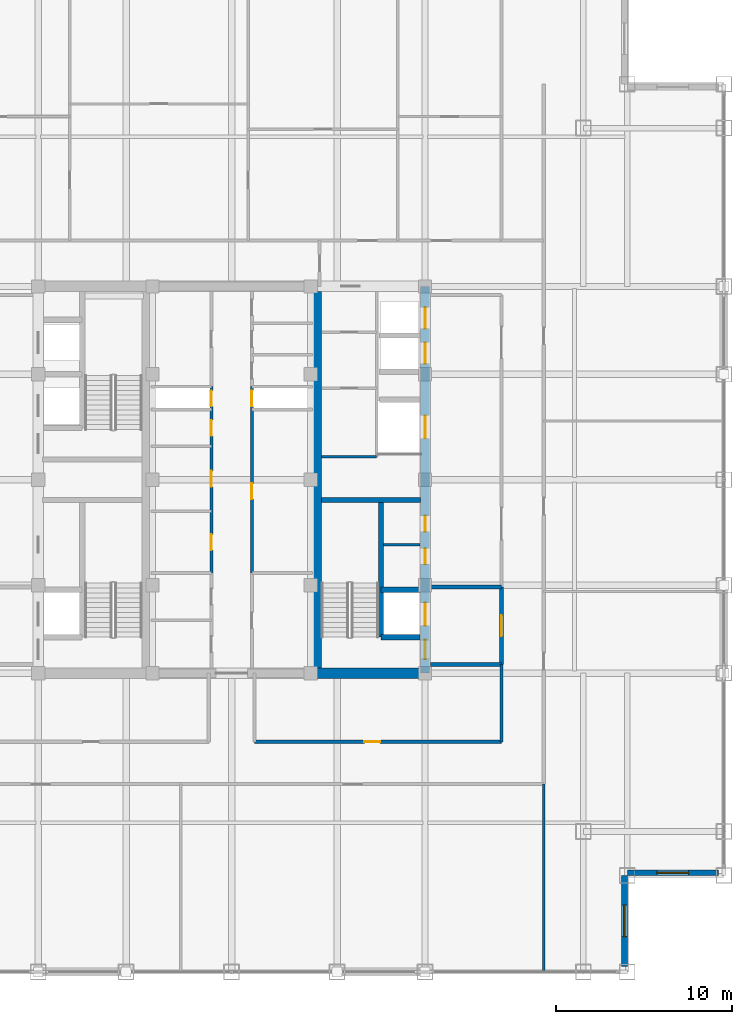
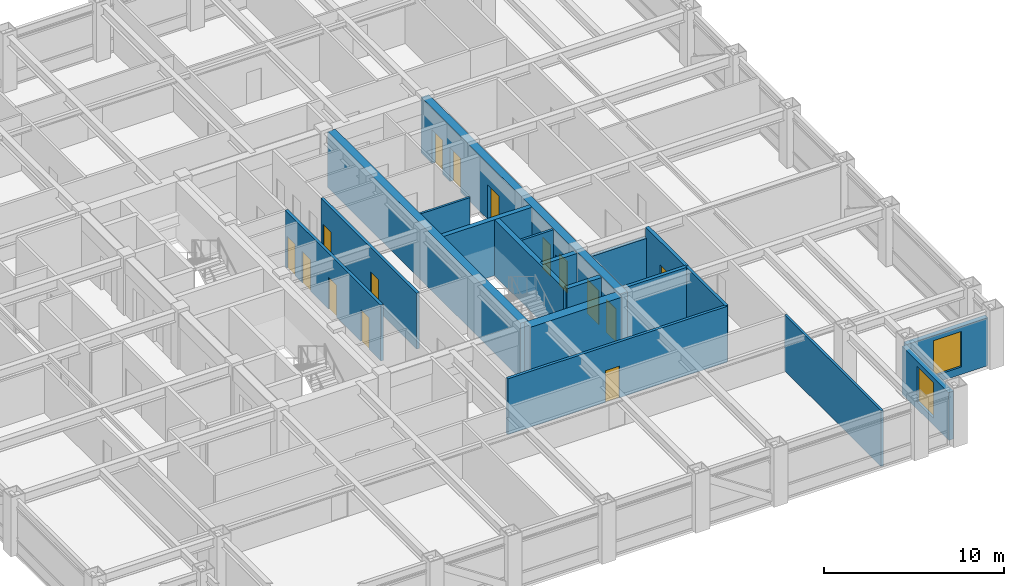
# One storey, part 19 of 22: 19 walls, 15 doors, 2 windows, 17 openings.
"""IFC4 building model written with IfcOpenShell, lengths in metres."""

from ifc_helpers import new_model, si_unit, direction, frame, frame_2d, origin, place, context, subcontext, project, spatial, rectangle, extrude, source, transform, mapped, material, layer, layer_set, type_object, element, fill, save


model = new_model("IFC4")

# Units and contexts
model_context = context("Model", 3, precision=1e-05, world=origin(), true_north=direction((0.0, 1.0)))
body_context = subcontext(model_context, "Body", "Model", "MODEL_VIEW")
ifc_project = project(units=[si_unit("LENGTHUNIT", "METRE"), si_unit("AREAUNIT", "SQUARE_METRE"), si_unit("VOLUMEUNIT", "CUBIC_METRE"), si_unit("PLANEANGLEUNIT", "RADIAN"), si_unit("MASSUNIT", "GRAM", prefix="KILO")], contexts=[model_context])

# Site, building, storey
site_placement = place(None, origin())
site = spatial("IfcSite", under=ifc_project, at=site_placement, CompositionType="ELEMENT")
building_placement = place(site_placement, origin())
building = spatial("IfcBuilding", under=site, at=building_placement, Name="Khorayat Bourse Tower", CompositionType="ELEMENT")
storey_placement = place(building_placement, frame((0.0, 0.0, 305.5)))
storey = spatial("IfcBuildingStorey", under=building, at=storey_placement, Name="L72", CompositionType="ELEMENT", Elevation=305.5)

# Wall, openings, doors
ifc_material_1 = material(Name="Concrete C52/65", Category="concrete")
ifc_layer_1 = layer(ifc_material_1, 0.5)
ifc_layer_set_1 = layer_set([ifc_layer_1], Name="Concrete C52/65")
wall_type_1 = type_object("IfcWallType", Name="WAL-CORE-500", PredefinedType="SHEAR", material=ifc_layer_set_1)
shared_shape_1 = source(origin(), body_context, "Body", "SweptSolid", [
    extrude(rectangle(XDim=22.0, YDim=0.5, at=frame_2d((11.0, 0.0))), origin(), (0.0, 0.0, 1.0), 3.780029296875),
])
wall_1_placement = place(storey_placement, frame((11.0, -11.0, 0.0), z_axis=(0.0, 0.0, 1.0), x_axis=(0.0, 1.0, 0.0)))
wall_1 = element("IfcWall", 1, at=wall_1_placement, inside=storey, type_object=wall_type_1, Name="L72 Core Shear Wall CORE-E", PredefinedType="SHEAR", context=body_context, shape_type="MappedRepresentation", body=[
    mapped(shared_shape_1, transform((0.0, 0.0, 0.0), scale=1.0)),
])
shared_shape_2 = source(origin(), body_context, "Body", "SweptSolid", [
    extrude(rectangle(XDim=1.10009765625, YDim=2.199951171875, at=frame_2d((0.550048828125, 1.10009765625))), frame((0.0, 0.260009765625, 0.0), z_axis=(0.0, -1.0, 0.0), x_axis=(1.0, 0.0, 0.0)), (0.0, 0.0, 1.0), 0.52001953125),
])
opening_1_placement = place(wall_1_placement, frame((0.800048828125, 0.0, 0.0)))
opening_1 = element("IfcOpeningElement", 2, at=opening_1_placement, cuts=wall_1, Name="Opening DI-01", PredefinedType="OPENING", context=body_context, shape_type="MappedRepresentation", body=[
    mapped(shared_shape_2, transform((0.0, 0.0, 0.0), scale=1.0)),
])
shared_shape_3 = source(origin(), body_context, "Body", "SweptSolid", [
    extrude(rectangle(XDim=0.89990234375, YDim=2.14990234375, at=frame_2d((0.449951171875, 1.074951171875))), frame((0.0, 0.260009765625, 0.0), z_axis=(0.0, -1.0, 0.0), x_axis=(1.0, 0.0, 0.0)), (0.0, 0.0, 1.0), 0.52001953125),
])
opening_2_placement = place(wall_1_placement, frame((6.199951171875, 0.0, 0.0)))
opening_2 = element("IfcOpeningElement", 3, at=opening_2_placement, cuts=wall_1, Name="Opening DI-06", PredefinedType="OPENING", context=body_context, shape_type="MappedRepresentation", body=[
    mapped(shared_shape_3, transform((0.0, 0.0, 0.0), scale=1.0)),
])
opening_3_placement = place(wall_1_placement, frame((8.050048828125, 0.0, 0.0)))
opening_3 = element("IfcOpeningElement", 4, at=opening_3_placement, cuts=wall_1, Name="Opening DI-06", PredefinedType="OPENING", context=body_context, shape_type="MappedRepresentation", body=[
    mapped(shared_shape_3, transform((0.0, 0.0, 0.0), scale=1.0)),
])
shared_shape_4 = source(origin(), body_context, "Body", "SweptSolid", [
    extrude(rectangle(XDim=1.199951171875, YDim=2.300048828125, at=frame_2d((0.60009765625, 1.14990234375))), frame((0.0, 0.260009765625, 0.0), z_axis=(0.0, -1.0, 0.0), x_axis=(1.0, 0.0, 0.0)), (0.0, 0.0, 1.0), 0.52001953125),
])
opening_4_placement = place(wall_1_placement, frame((17.60009765625, 0.0, 0.0)))
opening_4 = element("IfcOpeningElement", 5, at=opening_4_placement, cuts=wall_1, Name="Opening LD-01", PredefinedType="OPENING", context=body_context, shape_type="MappedRepresentation", body=[
    mapped(shared_shape_4, transform((0.0, 0.0, 0.0), scale=1.0)),
])
opening_5_placement = place(wall_1_placement, frame((19.60009765625, 0.0, 0.0)))
opening_5 = element("IfcOpeningElement", 6, at=opening_5_placement, cuts=wall_1, Name="Opening LD-01", PredefinedType="OPENING", context=body_context, shape_type="MappedRepresentation", body=[
    mapped(shared_shape_4, transform((0.0, 0.0, 0.0), scale=1.0)),
])
shared_shape_5 = source(origin(), body_context, "Body", "SweptSolid", [
    extrude(rectangle(XDim=1.300048828125, YDim=2.300048828125, at=frame_2d((0.64990234375, 1.14990234375))), frame((0.0, 0.260009765625, 0.0), z_axis=(0.0, -1.0, 0.0), x_axis=(1.0, 0.0, 0.0)), (0.0, 0.0, 1.0), 0.52001953125),
])
opening_6_placement = place(wall_1_placement, frame((2.699951171875, 0.0, 0.0)))
opening_6 = element("IfcOpeningElement", 7, at=opening_6_placement, cuts=wall_1, Name="Opening LD-02", PredefinedType="OPENING", context=body_context, shape_type="MappedRepresentation", body=[
    mapped(shared_shape_5, transform((0.0, 0.0, 0.0), scale=1.0)),
])
opening_7_placement = place(wall_1_placement, frame((13.35009765625, 0.0, 0.0)))
opening_7 = element("IfcOpeningElement", 8, at=opening_7_placement, cuts=wall_1, Name="Opening LD-02", PredefinedType="OPENING", context=body_context, shape_type="MappedRepresentation", body=[
    mapped(shared_shape_5, transform((0.0, 0.0, 0.0), scale=1.0)),
])
ifc_material_2 = material(Name="Fire-rated steel acoustic leaf", Category="steel")
door_type_1 = type_object("IfcDoorType", Name="DR-INT-STAIR-1100", OperationType="NOTDEFINED", PredefinedType="DOOR", material=ifc_material_2)
shared_shape_6 = source(origin(), body_context, "Body", "SweptSolid", [
    extrude(rectangle(XDim=1.10009765625, YDim=2.199951171875, at=frame_2d((0.550048828125, 1.10009765625))), frame((0.0, 0.02490234375, 0.0), z_axis=(0.0, -1.0, 0.0), x_axis=(1.0, 0.0, 0.0)), (0.0, 0.0, 1.0), 0.050048828125),
])
door_1_placement = place(opening_1_placement, origin())
door_1 = element("IfcDoor", 9, at=door_1_placement, inside=storey, type_object=door_type_1, Name="L72 Exit Stair 3 Door", OperationType="SINGLE_SWING_LEFT", OverallHeight=2.199951171875, OverallWidth=1.10009765625, PredefinedType="DOOR", context=body_context, shape_type="MappedRepresentation", body=[
    mapped(shared_shape_6, transform((0.0, 0.0, 0.0), scale=1.0)),
])
fill(opening_1, door_1)
ifc_material_3 = material(Name="Moisture-resistant laminate washroom door")
door_type_2 = type_object("IfcDoorType", Name="DR-INT-WC-900", OperationType="NOTDEFINED", PredefinedType="DOOR", material=ifc_material_3)
shared_shape_7 = source(origin(), body_context, "Body", "SweptSolid", [
    extrude(rectangle(XDim=0.89990234375, YDim=2.14990234375, at=frame_2d((0.449951171875, 1.074951171875))), frame((0.0, 0.02490234375, 0.0), z_axis=(0.0, -1.0, 0.0), x_axis=(1.0, 0.0, 0.0)), (0.0, 0.0, 1.0), 0.050048828125),
])
door_2_placement = place(opening_2_placement, origin())
door_2 = element("IfcDoor", 10, at=door_2_placement, inside=storey, type_object=door_type_2, Name="L72 Comms Closet Door", OperationType="SINGLE_SWING_LEFT", OverallHeight=2.14990234375, OverallWidth=0.89990234375, PredefinedType="DOOR", context=body_context, shape_type="MappedRepresentation", body=[
    mapped(shared_shape_7, transform((0.0, 0.0, 0.0), scale=1.0)),
])
fill(opening_2, door_2)
door_3_placement = place(opening_3_placement, origin())
door_3 = element("IfcDoor", 11, at=door_3_placement, inside=storey, type_object=door_type_2, Name="L72 Cleaner Store Door", OperationType="SINGLE_SWING_RIGHT", OverallHeight=2.14990234375, OverallWidth=0.89990234375, PredefinedType="DOOR", context=body_context, shape_type="MappedRepresentation", body=[
    mapped(shared_shape_7, transform((0.0, 0.0, 0.0), scale=1.0)),
])
fill(opening_3, door_3)
ifc_material_4 = material(Name="Brushed bronze stainless-steel sliding door", Category="steel")
door_type_3 = type_object("IfcDoorType", Name="DR-LIFT-PASS-1200", OperationType="NOTDEFINED", PredefinedType="DOOR", material=ifc_material_4)
shared_shape_8 = source(origin(), body_context, "Body", "SweptSolid", [
    extrude(rectangle(XDim=1.199951171875, YDim=2.300048828125, at=frame_2d((0.60009765625, 1.14990234375))), frame((0.0, 0.02490234375, 0.0), z_axis=(0.0, -1.0, 0.0), x_axis=(1.0, 0.0, 0.0)), (0.0, 0.0, 1.0), 0.050048828125),
])
door_4_placement = place(opening_4_placement, origin())
door_4 = element("IfcDoor", 12, at=door_4_placement, inside=storey, type_object=door_type_3, Name="L72 Lift PL-H3 Sliding Landing Door", OperationType="SLIDING_TO_LEFT", OverallHeight=2.300048828125, OverallWidth=1.199951171875, PredefinedType="DOOR", context=body_context, shape_type="MappedRepresentation", body=[
    mapped(shared_shape_8, transform((0.0, 0.0, 0.0), scale=1.0)),
])
fill(opening_4, door_4)
door_5_placement = place(opening_5_placement, origin())
door_5 = element("IfcDoor", 13, at=door_5_placement, inside=storey, type_object=door_type_3, Name="L72 Lift PL-H4 Sliding Landing Door", OperationType="SLIDING_TO_LEFT", OverallHeight=2.300048828125, OverallWidth=1.199951171875, PredefinedType="DOOR", context=body_context, shape_type="MappedRepresentation", body=[
    mapped(shared_shape_8, transform((0.0, 0.0, 0.0), scale=1.0)),
])
fill(opening_5, door_5)
ifc_material_5 = material(Name="Fire-rated stainless-steel sliding landing door", Category="steel")
door_type_4 = type_object("IfcDoorType", Name="DR-LIFT-FF-1300", OperationType="NOTDEFINED", PredefinedType="DOOR", material=ifc_material_5)
shared_shape_9 = source(origin(), body_context, "Body", "SweptSolid", [
    extrude(rectangle(XDim=1.300048828125, YDim=2.300048828125, at=frame_2d((0.64990234375, 1.14990234375))), frame((0.0, 0.02490234375, 0.0), z_axis=(0.0, -1.0, 0.0), x_axis=(1.0, 0.0, 0.0)), (0.0, 0.0, 1.0), 0.050048828125),
])
door_6_placement = place(opening_6_placement, origin())
door_6 = element("IfcDoor", 14, at=door_6_placement, inside=storey, type_object=door_type_4, Name="L72 Lift FFL-02 Sliding Landing Door", OperationType="SLIDING_TO_LEFT", OverallHeight=2.300048828125, OverallWidth=1.300048828125, PredefinedType="DOOR", context=body_context, shape_type="MappedRepresentation", body=[
    mapped(shared_shape_9, transform((0.0, 0.0, 0.0), scale=1.0)),
])
fill(opening_6, door_6)
door_7_placement = place(opening_7_placement, origin())
door_7 = element("IfcDoor", 15, at=door_7_placement, inside=storey, type_object=door_type_4, Name="L72 Lift SVL-01 Sliding Landing Door", OperationType="SLIDING_TO_LEFT", OverallHeight=2.300048828125, OverallWidth=1.300048828125, PredefinedType="DOOR", context=body_context, shape_type="MappedRepresentation", body=[
    mapped(shared_shape_9, transform((0.0, 0.0, 0.0), scale=1.0)),
])
fill(opening_7, door_7)

# Walls
shared_shape_10 = source(origin(), body_context, "Body", "SweptSolid", [
    extrude(rectangle(XDim=21.39990234375, YDim=0.5, at=frame_2d((10.699951171875, 0.0))), origin(), (0.0, 0.0, 1.0), 3.780029296875),
])
wall_2_placement = place(storey_placement, frame((4.85009765625, -10.699951171875, 0.0), z_axis=(0.0, 0.0, 1.0), x_axis=(0.0, 1.0, 0.0)))
element("IfcWall", 16, at=wall_2_placement, inside=storey, type_object=wall_type_1, Name="L72 Core Shear Wall PIER-E", PredefinedType="SHEAR", context=body_context, shape_type="MappedRepresentation", body=[
    mapped(shared_shape_10, transform((0.0, 0.0, 0.0), scale=1.0)),
])
ifc_material_6 = material(Name="Concrete C60/75", Category="concrete")
ifc_layer_2 = layer(ifc_material_6, 0.60009765625)
ifc_layer_set_2 = layer_set([ifc_layer_2], Name="Concrete C60/75")
wall_type_2 = type_object("IfcWallType", Name="WAL-CORE-600", PredefinedType="SHEAR", material=ifc_layer_set_2)
shared_shape_11 = source(origin(), body_context, "Body", "SweptSolid", [
    extrude(rectangle(XDim=5.89990234375, YDim=0.60009765625, at=frame_2d((2.949951171875, 0.0))), origin(), (0.0, 0.0, 1.0), 3.780029296875),
])
wall_3_placement = place(storey_placement, frame((4.85009765625, -11.0, 0.0), z_axis=(0.0, 0.0, 1.0), x_axis=(1.0, 0.0, 0.0)))
element("IfcWall", 17, at=wall_3_placement, inside=storey, type_object=wall_type_2, Name="L72 Core Shear Wall PIER-ES", PredefinedType="SHEAR", context=body_context, shape_type="MappedRepresentation", body=[
    mapped(shared_shape_11, transform((0.0, 0.0, 0.0), scale=1.0)),
])
ifc_material_7 = material(Name="Concrete C50/60", Category="concrete")
ifc_layer_3 = layer(ifc_material_7, 0.300048828125)
ifc_layer_set_3 = layer_set([ifc_layer_3], Name="Concrete C50/60")
wall_type_3 = type_object("IfcWallType", Name="WAL-SHAFT-300", PredefinedType="SHEAR", material=ifc_layer_set_3)
shared_shape_12 = source(origin(), body_context, "Body", "SweptSolid", [
    extrude(rectangle(XDim=5.64990234375, YDim=0.300048828125, at=frame_2d((2.824951171875, 0.0))), origin(), (0.0, 0.0, 1.0), 3.780029296875),
])
wall_4_placement = place(storey_placement, frame((5.10009765625, -1.14990234375, 0.0), z_axis=(0.0, 0.0, 1.0), x_axis=(1.0, 0.0, 0.0)))
element("IfcWall", 18, at=wall_4_placement, inside=storey, type_object=wall_type_3, Name="L72 Core Shear Wall ST3-DIV", PredefinedType="SHEAR", context=body_context, shape_type="MappedRepresentation", body=[
    mapped(shared_shape_12, transform((0.0, 0.0, 0.0), scale=1.0)),
])

# Wall, opening, window
ifc_material_8 = material(Name="Precast concrete C45/55", Category="concrete")
ifc_layer_4 = layer(ifc_material_8, 0.320068359375)
ifc_layer_set_4 = layer_set([ifc_layer_4], Name="Precast concrete C45/55")
wall_type_4 = type_object("IfcWallType", Name="WAL-EXT-STONE-320", PredefinedType="STANDARD", material=ifc_layer_set_4)
shared_shape_13 = source(origin(), body_context, "Body", "SweptSolid", [
    extrude(rectangle(XDim=5.179931640625, YDim=0.320068359375, at=frame_2d((2.58984375, 0.0))), origin(), (0.0, 0.0, 1.0), 3.23095703125),
])
wall_5_placement = place(storey_placement, frame((22.340087890625, -27.679931640625, 0.0), z_axis=(0.0, 0.0, 1.0), x_axis=(0.0, 1.0, 0.0)))
wall_5 = element("IfcWall", 19, at=wall_5_placement, inside=storey, type_object=wall_type_4, Name="L72 Re-Entrant Notch Limestone Wall SE-V", PredefinedType="STANDARD", context=body_context, shape_type="MappedRepresentation", body=[
    mapped(shared_shape_13, transform((0.0, 0.0, 0.0), scale=1.0)),
])
shared_shape_14 = source(origin(), body_context, "Body", "SweptSolid", [
    extrude(rectangle(XDim=1.800048828125, YDim=2.39990234375, at=frame_2d((0.89990234375, 1.199951171875))), frame((0.0, 0.169921875, 0.0), z_axis=(0.0, -1.0, 0.0), x_axis=(1.0, 0.0, 0.0)), (0.0, 0.0, 1.0), 0.340087890625),
])
opening_8_placement = place(wall_5_placement, frame((1.68994140625, 0.0, 0.5)))
opening_8 = element("IfcOpeningElement", 20, at=opening_8_placement, cuts=wall_5, Name="Opening WN-04", PredefinedType="OPENING", context=body_context, shape_type="MappedRepresentation", body=[
    mapped(shared_shape_14, transform((0.0, 0.0, 0.0), scale=1.0)),
])
ifc_material_9 = material(Name="Low-E acoustic laminated double glazing", Category="glass")
window_type = type_object("IfcWindowType", Name="WIN-NOTCH-1800x2400", PartitioningType="SINGLE_PANEL", PredefinedType="WINDOW", material=ifc_material_9)
shared_shape_15 = source(origin(), body_context, "Body", "SweptSolid", [
    extrude(rectangle(XDim=1.800048828125, YDim=2.39990234375, at=frame_2d((0.89990234375, 1.199951171875))), frame((0.0, 0.030029296875, 0.0), z_axis=(0.0, -1.0, 0.0), x_axis=(1.0, 0.0, 0.0)), (0.0, 0.0, 1.0), 0.06005859375),
])
window_1_placement = place(opening_8_placement, origin())
window_1 = element("IfcWindow", 21, at=window_1_placement, inside=storey, type_object=window_type, Name="L72 Facade Window 1", OverallHeight=2.39990234375, OverallWidth=1.800048828125, PartitioningType="SINGLE_PANEL", PredefinedType="WINDOW", context=body_context, shape_type="MappedRepresentation", body=[
    mapped(shared_shape_15, transform((0.0, 0.0, 0.0), scale=1.0)),
])
fill(opening_8, window_1)

wall_6_placement = place(storey_placement, frame((22.5, -22.340087890625, 0.0), z_axis=(0.0, 0.0, 1.0), x_axis=(1.0, 0.0, 0.0)))
wall_6 = element("IfcWall", 22, at=wall_6_placement, inside=storey, type_object=wall_type_4, Name="L72 Re-Entrant Notch Limestone Wall SE-H", PredefinedType="STANDARD", context=body_context, shape_type="MappedRepresentation", body=[
    mapped(shared_shape_13, transform((0.0, 0.0, 0.0), scale=1.0)),
])
opening_9_placement = place(wall_6_placement, frame((1.68994140625, 0.0, 0.5)))
opening_9 = element("IfcOpeningElement", 23, at=opening_9_placement, cuts=wall_6, Name="Opening WN-04", PredefinedType="OPENING", context=body_context, shape_type="MappedRepresentation", body=[
    mapped(shared_shape_14, transform((0.0, 0.0, 0.0), scale=1.0)),
])
window_2_placement = place(opening_9_placement, origin())
window_2 = element("IfcWindow", 24, at=window_2_placement, inside=storey, type_object=window_type, Name="L72 Facade Window 1", OverallHeight=2.39990234375, OverallWidth=1.800048828125, PartitioningType="SINGLE_PANEL", PredefinedType="WINDOW", context=body_context, shape_type="MappedRepresentation", body=[
    mapped(shared_shape_15, transform((0.0, 0.0, 0.0), scale=1.0)),
])
fill(opening_9, window_2)

# Walls
ifc_material_10 = material(Name="Aerated concrete blockwork", Category="masonry")
ifc_layer_5 = layer(ifc_material_10, 0.219970703125)
ifc_layer_set_5 = layer_set([ifc_layer_5], Name="Aerated concrete blockwork")
wall_type_5 = type_object("IfcWallType", Name="WAL-PART-FF-220", PredefinedType="PARTITIONING", material=ifc_layer_set_5)
shared_shape_16 = source(origin(), body_context, "Body", "SweptSolid", [
    extrude(rectangle(XDim=4.050048828125, YDim=0.219970703125, at=frame_2d((2.02490234375, 0.0))), origin(), (0.0, 0.0, 1.0), 3.0849609375),
])
wall_7_placement = place(storey_placement, frame((11.300048828125, -6.10009765625, 0.0), z_axis=(0.0, 0.0, 1.0), x_axis=(1.0, 0.0, 0.0)))
element("IfcWall", 25, at=wall_7_placement, inside=storey, type_object=wall_type_5, Name="L72 Partition WAL-L72-FFLE-N", PredefinedType="PARTITIONING", context=body_context, shape_type="MappedRepresentation", body=[
    mapped(shared_shape_16, transform((0.0, 0.0, 0.0), scale=1.0)),
])
shared_shape_17 = source(origin(), body_context, "Body", "SweptSolid", [
    extrude(rectangle(XDim=7.800048828125, YDim=0.300048828125, at=frame_2d((3.89990234375, 0.0))), origin(), (0.0, 0.0, 1.0), 3.780029296875),
])
wall_8_placement = place(storey_placement, frame((8.5, -8.949951171875, 0.0), z_axis=(0.0, 0.0, 1.0), x_axis=(0.0, 1.0, 0.0)))
element("IfcWall", 26, at=wall_8_placement, inside=storey, type_object=wall_type_3, Name="L72 Partition WAL-L72-EPIER-SP", PredefinedType="SHEAR", context=body_context, shape_type="MappedRepresentation", body=[
    mapped(shared_shape_17, transform((0.0, 0.0, 0.0), scale=1.0)),
])
shared_shape_18 = source(origin(), body_context, "Body", "SweptSolid", [
    extrude(rectangle(XDim=2.199951171875, YDim=0.300048828125, at=frame_2d((1.10009765625, 0.0))), origin(), (0.0, 0.0, 1.0), 3.780029296875),
])
for number, where, z_axis, x_axis, name in (
    (27, (8.5, -8.949951171875, 0.0), (0.0, 0.0, 1.0), (1.0, 0.0, 0.0), "L72 Partition WAL-L72-EPIER-FF2S"),
    (28, (8.5, -6.25, 0.0), (0.0, 0.0, 1.0), (1.0, 0.0, 0.0), "L72 Partition WAL-L72-EPIER-FF2N"),
):
    element("IfcWall", number, at=place(storey_placement, frame(where, z_axis=z_axis, x_axis=x_axis)), inside=storey, type_object=wall_type_3, Name=name, PredefinedType="SHEAR", context=body_context, shape_type="MappedRepresentation", body=[
        mapped(shared_shape_18, transform((0.0, 0.0, 0.0), scale=1.0)),
    ])
ifc_material_11 = material(Name="Gypsum plasterboard twin-frame partition")
ifc_layer_6 = layer(ifc_material_11, 0.14990234375)
ifc_layer_set_6 = layer_set([ifc_layer_6], Name="Gypsum plasterboard twin-frame partition")
wall_type_6 = type_object("IfcWallType", Name="WAL-PART-SUITE-150", PredefinedType="PARTITIONING", material=ifc_layer_set_6)
shared_shape_19 = source(origin(), body_context, "Body", "SweptSolid", [
    extrude(rectangle(XDim=2.050048828125, YDim=0.14990234375, at=frame_2d((1.02490234375, 0.0))), origin(), (0.0, 0.0, 1.0), 3.780029296875),
])
wall_9_placement = place(storey_placement, frame((8.64990234375, -3.699951171875, 0.0), z_axis=(0.0, 0.0, 1.0), x_axis=(1.0, 0.0, 0.0)))
element("IfcWall", 29, at=wall_9_placement, inside=storey, type_object=wall_type_6, Name="L72 Partition WAL-L72-ESRV-D1", PredefinedType="PARTITIONING", context=body_context, shape_type="MappedRepresentation", body=[
    mapped(shared_shape_19, transform((0.0, 0.0, 0.0), scale=1.0)),
])
ifc_material_12 = material(Name="Moisture-resistant masonry partition", Category="masonry")
ifc_layer_7 = layer(ifc_material_12, 0.139892578125)
ifc_layer_set_7 = layer_set([ifc_layer_7], Name="Moisture-resistant masonry partition")
wall_type_7 = type_object("IfcWallType", Name="WAL-PART-WET-140", PredefinedType="PARTITIONING", material=ifc_layer_set_7)
shared_shape_20 = source(origin(), body_context, "Body", "SweptSolid", [
    extrude(rectangle(XDim=3.14990234375, YDim=0.139892578125, at=frame_2d((1.574951171875, 0.0))), origin(), (0.0, 0.0, 1.0), 3.780029296875),
])
wall_10_placement = place(storey_placement, frame((5.10009765625, 1.300048828125, 0.0), z_axis=(0.0, 0.0, 1.0), x_axis=(1.0, 0.0, 0.0)))
element("IfcWall", 30, at=wall_10_placement, inside=storey, type_object=wall_type_7, Name="L72 Partition WAL-L72-ECORE-S", PredefinedType="PARTITIONING", context=body_context, shape_type="MappedRepresentation", body=[
    mapped(shared_shape_20, transform((0.0, 0.0, 0.0), scale=1.0)),
])
shared_shape_21 = source(origin(), body_context, "Body", "SweptSolid", [
    extrude(rectangle(XDim=4.050048828125, YDim=0.219970703125, at=frame_2d((2.02490234375, 0.0))), origin(), (0.0, 0.0, 1.0), 3.780029296875),
])
wall_11_placement = place(storey_placement, frame((11.300048828125, -10.5, 0.0), z_axis=(0.0, 0.0, 1.0), x_axis=(1.0, 0.0, 0.0)))
element("IfcWall", 31, at=wall_11_placement, inside=storey, type_object=wall_type_5, Name="L72 Partition WAL-L72-FFLE-S", PredefinedType="PARTITIONING", context=body_context, shape_type="MappedRepresentation", body=[
    mapped(shared_shape_21, transform((0.0, 0.0, 0.0), scale=1.0)),
])

# Wall, opening, door
shared_shape_22 = source(origin(), body_context, "Body", "SweptSolid", [
    extrude(rectangle(XDim=4.39990234375, YDim=0.219970703125, at=frame_2d((2.199951171875, 0.0))), origin(), (0.0, 0.0, 1.0), 3.780029296875),
])
wall_12_placement = place(storey_placement, frame((15.35009765625, -10.5, 0.0), z_axis=(0.0, 0.0, 1.0), x_axis=(0.0, 1.0, 0.0)))
wall_12 = element("IfcWall", 32, at=wall_12_placement, inside=storey, type_object=wall_type_5, Name="L72 Partition WAL-L72-FFLE-E", PredefinedType="PARTITIONING", context=body_context, shape_type="MappedRepresentation", body=[
    mapped(shared_shape_22, transform((0.0, 0.0, 0.0), scale=1.0)),
])
shared_shape_23 = source(origin(), body_context, "Body", "SweptSolid", [
    extrude(rectangle(XDim=1.199951171875, YDim=2.199951171875, at=frame_2d((0.60009765625, 1.10009765625))), frame((0.0, 0.119873046875, 0.0), z_axis=(0.0, -1.0, 0.0), x_axis=(1.0, 0.0, 0.0)), (0.0, 0.0, 1.0), 0.239990234375),
])
opening_10_placement = place(wall_12_placement, frame((1.60009765625, 0.0, 0.0)))
opening_10 = element("IfcOpeningElement", 33, at=opening_10_placement, cuts=wall_12, Name="Opening DI-02", PredefinedType="OPENING", context=body_context, shape_type="MappedRepresentation", body=[
    mapped(shared_shape_23, transform((0.0, 0.0, 0.0), scale=1.0)),
])
ifc_material_13 = material(Name="Fire-rated steel double-seal leaf", Category="steel")
door_type_5 = type_object("IfcDoorType", Name="DR-INT-FFLOBBY-1200", OperationType="NOTDEFINED", PredefinedType="DOOR", material=ifc_material_13)
shared_shape_24 = source(origin(), body_context, "Body", "SweptSolid", [
    extrude(rectangle(XDim=1.199951171875, YDim=2.199951171875, at=frame_2d((0.60009765625, 1.10009765625))), frame((0.0, 0.02490234375, 0.0), z_axis=(0.0, -1.0, 0.0), x_axis=(1.0, 0.0, 0.0)), (0.0, 0.0, 1.0), 0.050048828125),
])
door_8_placement = place(opening_10_placement, origin())
door_8 = element("IfcDoor", 34, at=door_8_placement, inside=storey, type_object=door_type_5, Name="L72 East Firefighting Lobby Door", OperationType="SINGLE_SWING_RIGHT", OverallHeight=2.199951171875, OverallWidth=1.199951171875, PredefinedType="DOOR", context=body_context, shape_type="MappedRepresentation", body=[
    mapped(shared_shape_24, transform((0.0, 0.0, 0.0), scale=1.0)),
])
fill(opening_10, door_8)

# Wall, openings, doors
ifc_material_14 = material(Name="Gypsum plasterboard acoustic stud wall")
ifc_layer_8 = layer(ifc_material_14, 0.179931640625)
ifc_layer_set_8 = layer_set([ifc_layer_8], Name="Gypsum plasterboard acoustic stud wall")
wall_type_8 = type_object("IfcWallType", Name="WAL-PART-CORR-180", PredefinedType="PARTITIONING", material=ifc_layer_set_8)
shared_shape_25 = source(origin(), body_context, "Body", "SweptSolid", [
    extrude(rectangle(XDim=10.60009765625, YDim=0.179931640625, at=frame_2d((5.300048828125, 0.0))), origin(), (0.0, 0.0, 1.0), 3.780029296875),
])
wall_13_placement = place(storey_placement, frame((-1.14990234375, -5.300048828125, 0.0), z_axis=(0.0, 0.0, 1.0), x_axis=(0.0, 1.0, 0.0)))
wall_13 = element("IfcWall", 35, at=wall_13_placement, inside=storey, type_object=wall_type_8, Name="L72 Partition WAL-L72-CMW-L", PredefinedType="PARTITIONING", context=body_context, shape_type="MappedRepresentation", body=[
    mapped(shared_shape_25, transform((0.0, 0.0, 0.0), scale=1.0)),
])
shared_shape_26 = source(origin(), body_context, "Body", "SweptSolid", [
    extrude(rectangle(XDim=0.89990234375, YDim=2.14990234375, at=frame_2d((0.449951171875, 1.074951171875))), frame((0.0, 0.099853515625, 0.0), z_axis=(0.0, -1.0, 0.0), x_axis=(1.0, 0.0, 0.0)), (0.0, 0.0, 1.0), 0.199951171875),
])
opening_11_placement = place(wall_13_placement, frame((1.300048828125, 0.0, 0.0)))
opening_11 = element("IfcOpeningElement", 36, at=opening_11_placement, cuts=wall_13, Name="Opening DI-06", PredefinedType="OPENING", context=body_context, shape_type="MappedRepresentation", body=[
    mapped(shared_shape_26, transform((0.0, 0.0, 0.0), scale=1.0)),
])
opening_12_placement = place(wall_13_placement, frame((4.89990234375, 0.0, 0.0)))
opening_12 = element("IfcOpeningElement", 37, at=opening_12_placement, cuts=wall_13, Name="Opening DI-06", PredefinedType="OPENING", context=body_context, shape_type="MappedRepresentation", body=[
    mapped(shared_shape_26, transform((0.0, 0.0, 0.0), scale=1.0)),
])
opening_13_placement = place(wall_13_placement, frame((7.800048828125, 0.0, 0.0)))
opening_13 = element("IfcOpeningElement", 38, at=opening_13_placement, cuts=wall_13, Name="Opening DI-06", PredefinedType="OPENING", context=body_context, shape_type="MappedRepresentation", body=[
    mapped(shared_shape_26, transform((0.0, 0.0, 0.0), scale=1.0)),
])
opening_14_placement = place(wall_13_placement, frame((9.47509765625, 0.0, 0.0)))
opening_14 = element("IfcOpeningElement", 39, at=opening_14_placement, cuts=wall_13, Name="Opening DI-06", PredefinedType="OPENING", context=body_context, shape_type="MappedRepresentation", body=[
    mapped(shared_shape_26, transform((0.0, 0.0, 0.0), scale=1.0)),
])
door_9_placement = place(opening_11_placement, origin())
door_9 = element("IfcDoor", 40, at=door_9_placement, inside=storey, type_object=door_type_2, Name="L72 Male Core Washroom Door", OperationType="SINGLE_SWING_RIGHT", OverallHeight=2.14990234375, OverallWidth=0.89990234375, PredefinedType="DOOR", context=body_context, shape_type="MappedRepresentation", body=[
    mapped(shared_shape_7, transform((0.0, 0.0, 0.0), scale=1.0)),
])
fill(opening_11, door_9)
door_10_placement = place(opening_12_placement, origin())
door_10 = element("IfcDoor", 41, at=door_10_placement, inside=storey, type_object=door_type_2, Name="L72 AHU Fan Plant Room Door", OperationType="SINGLE_SWING_LEFT", OverallHeight=2.14990234375, OverallWidth=0.89990234375, PredefinedType="DOOR", context=body_context, shape_type="MappedRepresentation", body=[
    mapped(shared_shape_7, transform((0.0, 0.0, 0.0), scale=1.0)),
])
fill(opening_12, door_10)
door_11_placement = place(opening_13_placement, origin())
door_11 = element("IfcDoor", 42, at=door_11_placement, inside=storey, type_object=door_type_2, Name="L72 Janitor Store Door", OperationType="SINGLE_SWING_RIGHT", OverallHeight=2.14990234375, OverallWidth=0.89990234375, PredefinedType="DOOR", context=body_context, shape_type="MappedRepresentation", body=[
    mapped(shared_shape_7, transform((0.0, 0.0, 0.0), scale=1.0)),
])
fill(opening_13, door_11)
door_12_placement = place(opening_14_placement, origin())
door_12 = element("IfcDoor", 43, at=door_12_placement, inside=storey, type_object=door_type_2, Name="L72 West Core Riser Door", OperationType="SINGLE_SWING_LEFT", OverallHeight=2.14990234375, OverallWidth=0.89990234375, PredefinedType="DOOR", context=body_context, shape_type="MappedRepresentation", body=[
    mapped(shared_shape_7, transform((0.0, 0.0, 0.0), scale=1.0)),
])
fill(opening_14, door_12)

wall_14_placement = place(storey_placement, frame((1.14990234375, -5.300048828125, 0.0), z_axis=(0.0, 0.0, 1.0), x_axis=(0.0, 1.0, 0.0)))
wall_14 = element("IfcWall", 44, at=wall_14_placement, inside=storey, type_object=wall_type_8, Name="L72 Partition WAL-L72-CME-L", PredefinedType="PARTITIONING", context=body_context, shape_type="MappedRepresentation", body=[
    mapped(shared_shape_25, transform((0.0, 0.0, 0.0), scale=1.0)),
])
opening_15_placement = place(wall_14_placement, frame((4.199951171875, 0.0, 0.0)))
opening_15 = element("IfcOpeningElement", 45, at=opening_15_placement, cuts=wall_14, Name="Opening DI-06", PredefinedType="OPENING", context=body_context, shape_type="MappedRepresentation", body=[
    mapped(shared_shape_26, transform((0.0, 0.0, 0.0), scale=1.0)),
])
opening_16_placement = place(wall_14_placement, frame((9.47509765625, 0.0, 0.0)))
opening_16 = element("IfcOpeningElement", 46, at=opening_16_placement, cuts=wall_14, Name="Opening DI-06", PredefinedType="OPENING", context=body_context, shape_type="MappedRepresentation", body=[
    mapped(shared_shape_26, transform((0.0, 0.0, 0.0), scale=1.0)),
])
door_13_placement = place(opening_15_placement, origin())
door_13 = element("IfcDoor", 47, at=door_13_placement, inside=storey, type_object=door_type_2, Name="L72 Female Core Washroom Door", OperationType="SINGLE_SWING_RIGHT", OverallHeight=2.14990234375, OverallWidth=0.89990234375, PredefinedType="DOOR", context=body_context, shape_type="MappedRepresentation", body=[
    mapped(shared_shape_7, transform((0.0, 0.0, 0.0), scale=1.0)),
])
fill(opening_15, door_13)
door_14_placement = place(opening_16_placement, origin())
door_14 = element("IfcDoor", 48, at=door_14_placement, inside=storey, type_object=door_type_2, Name="L72 East Core Riser Door", OperationType="SINGLE_SWING_RIGHT", OverallHeight=2.14990234375, OverallWidth=0.89990234375, PredefinedType="DOOR", context=body_context, shape_type="MappedRepresentation", body=[
    mapped(shared_shape_7, transform((0.0, 0.0, 0.0), scale=1.0)),
])
fill(opening_16, door_14)

# Wall, opening, door
shared_shape_27 = source(origin(), body_context, "Body", "SweptSolid", [
    extrude(rectangle(XDim=14.050048828125, YDim=0.179931640625, at=frame_2d((7.02490234375, 0.0))), origin(), (0.0, 0.0, 1.0), 3.780029296875),
])
wall_15_placement = place(storey_placement, frame((1.300048828125, -14.89990234375, 0.0), z_axis=(0.0, 0.0, 1.0), x_axis=(1.0, 0.0, 0.0)))
wall_15 = element("IfcWall", 49, at=wall_15_placement, inside=storey, type_object=wall_type_8, Name="L72 Partition WAL-L72-PKSE-S", PredefinedType="PARTITIONING", context=body_context, shape_type="MappedRepresentation", body=[
    mapped(shared_shape_27, transform((0.0, 0.0, 0.0), scale=1.0)),
])
opening_17_placement = place(wall_15_placement, frame((6.25, 0.0, 0.0)))
opening_17 = element("IfcOpeningElement", 50, at=opening_17_placement, cuts=wall_15, Name="Opening DI-06", PredefinedType="OPENING", context=body_context, shape_type="MappedRepresentation", body=[
    mapped(shared_shape_26, transform((0.0, 0.0, 0.0), scale=1.0)),
])
door_15_placement = place(opening_17_placement, origin())
door_15 = element("IfcDoor", 51, at=door_15_placement, inside=storey, type_object=door_type_2, Name="L72 SE Inboard Study Door", OperationType="SINGLE_SWING_RIGHT", OverallHeight=2.14990234375, OverallWidth=0.89990234375, PredefinedType="DOOR", context=body_context, shape_type="MappedRepresentation", body=[
    mapped(shared_shape_7, transform((0.0, 0.0, 0.0), scale=1.0)),
])
fill(opening_17, door_15)

# Walls
shared_shape_28 = source(origin(), body_context, "Body", "SweptSolid", [
    extrude(rectangle(XDim=4.39990234375, YDim=0.179931640625, at=frame_2d((2.199951171875, 0.0))), origin(), (0.0, 0.0, 1.0), 3.780029296875),
])
wall_16_placement = place(storey_placement, frame((15.35009765625, -14.89990234375, 0.0), z_axis=(0.0, 0.0, 1.0), x_axis=(0.0, 1.0, 0.0)))
element("IfcWall", 52, at=wall_16_placement, inside=storey, type_object=wall_type_8, Name="L72 Partition WAL-L72-PKSE-E", PredefinedType="PARTITIONING", context=body_context, shape_type="MappedRepresentation", body=[
    mapped(shared_shape_28, transform((0.0, 0.0, 0.0), scale=1.0)),
])
shared_shape_29 = source(origin(), body_context, "Body", "SweptSolid", [
    extrude(rectangle(XDim=10.699951171875, YDim=0.14990234375, at=frame_2d((5.35009765625, 0.0))), origin(), (0.0, 0.0, 1.0), 3.780029296875),
])
wall_17_placement = place(storey_placement, frame((17.75, -28.0, 0.0), z_axis=(0.0, 0.0, 1.0), x_axis=(0.0, 1.0, 0.0)))
element("IfcWall", 53, at=wall_17_placement, inside=storey, type_object=wall_type_6, Name="L72 Partition WAL-L72-SCE-END", PredefinedType="PARTITIONING", context=body_context, shape_type="MappedRepresentation", body=[
    mapped(shared_shape_29, transform((0.0, 0.0, 0.0), scale=1.0)),
])

save(model, "model.ifc")
